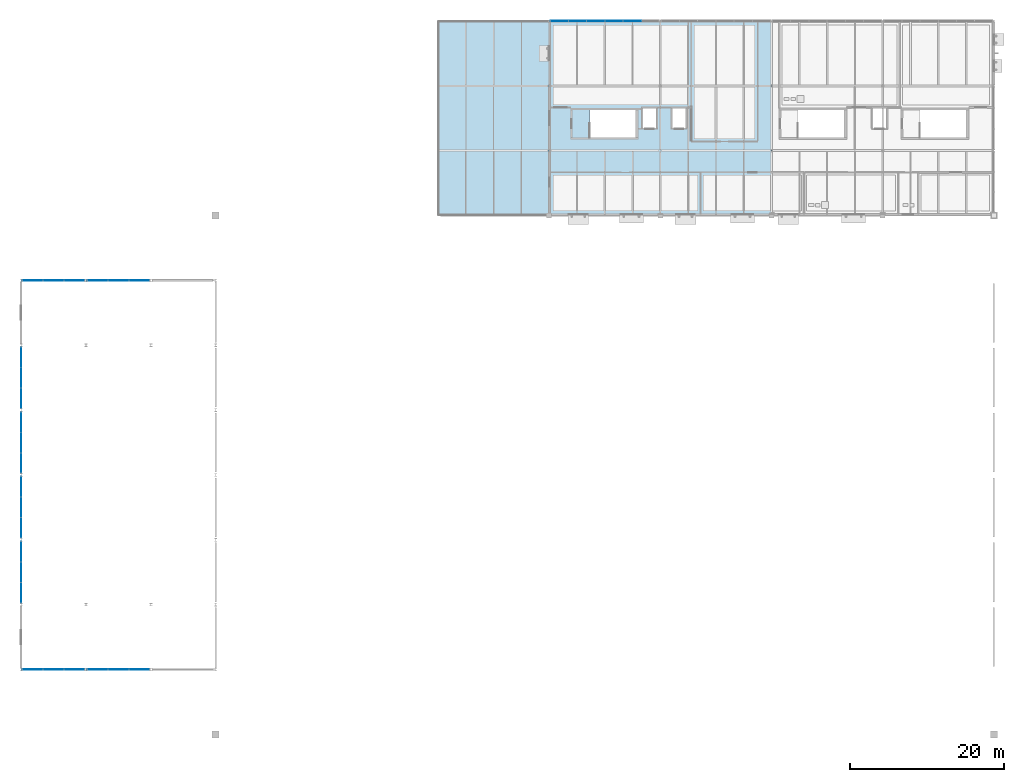
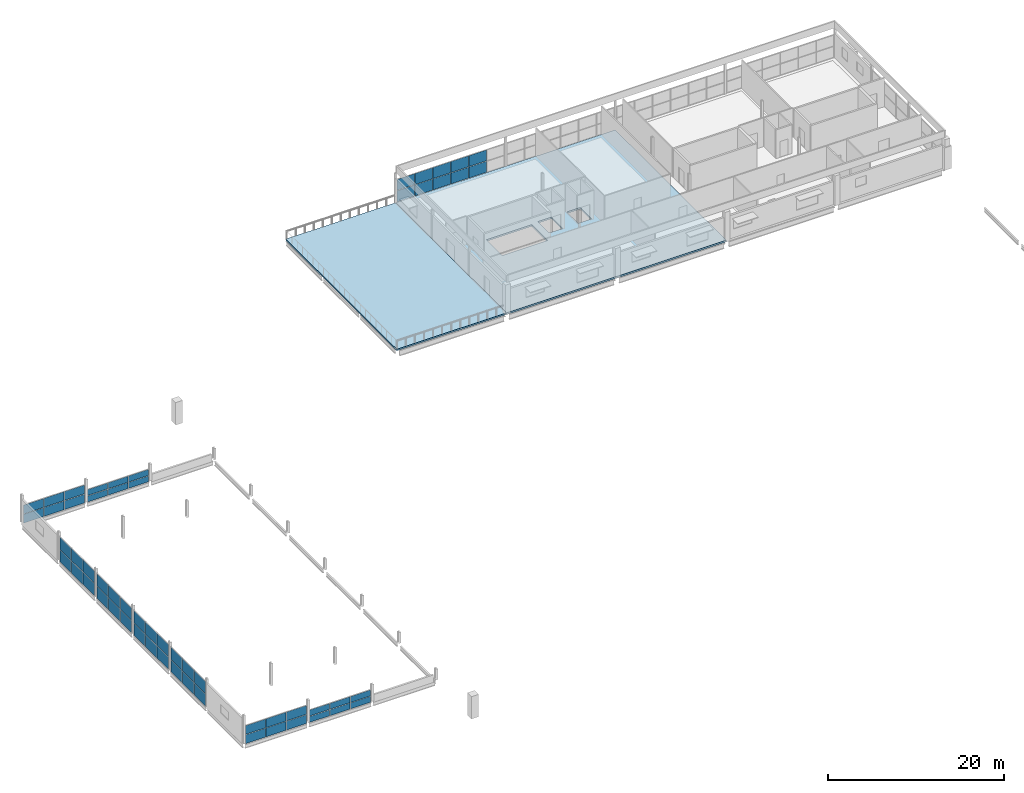
# One storey, part 37 of 43: 58 plates, 2 slabs, 9 elements without a shape of their own.
"""IFC4 building model written with IfcOpenShell, lengths in metres."""

import ifcopenshell
import ifcopenshell.guid

model = None  # the IFC model being written
_history = None  # IfcOwnerHistory: only IFC2X3 demands one
_inside = {}  # id of a spatial element -> (the spatial element, [elements in it])
_under = {}  # id of a project, library or spatial element -> (it, [spatial elements below it])
_declared = {}  # id of a project -> (the project, [libraries it declares])
_typed = {}  # id of a type object -> (the type object, [elements of that type])
_made_of = {}  # id of a material, layer set ... -> (it, [elements and type objects made of it])


def new_model(schema):
    """Start an empty IFC model of exactly this schema.

    Asked for "IFC4X3", IfcOpenShell would pick the latest addendum, in which some entities
    have other attributes; the version numbers below select the first issue.
    IFC2X3 requires an IfcOwnerHistory on every rooted entity: one is made here for all.
    """
    global model, _history
    if schema == "IFC4X3":
        model = ifcopenshell.file(schema_version=(4, 3, 0, 0))
    else:
        model = ifcopenshell.file(schema=schema)
    _inside.clear()
    _under.clear()
    _declared.clear()
    _typed.clear()
    _made_of.clear()
    _history = None
    if model.schema == "IFC2X3":
        org = make("IfcOrganization", Name="unknown")
        user = make(
            "IfcPersonAndOrganization",
            ThePerson=make("IfcPerson", FamilyName="unknown"),
            TheOrganization=org,
        )
        app = make(
            "IfcApplication",
            ApplicationDeveloper=org,
            Version="unknown",
            ApplicationFullName="unknown",
            ApplicationIdentifier="unknown",
        )
        _history = make(
            "IfcOwnerHistory",
            OwningUser=user,
            OwningApplication=app,
            ChangeAction="ADDED",
            CreationDate=0,
        )
    return model


def make(cls, **values):
    """One entity of the class cls with the attributes given. An attribute that is None is left unset."""
    return model.create_entity(
        cls, **{name: value for name, value in values.items() if value is not None}
    )


def rooted(cls, **values):
    """An entity with a GlobalId (a new one), such as an element, a storey or a relation."""
    return make(cls, GlobalId=ifcopenshell.guid.new(), OwnerHistory=_history, **values)


def si_unit(unit_type, name, prefix=None):
    """IfcSIUnit, for example si_unit("LENGTHUNIT", "METRE", prefix="MILLI")."""
    return make("IfcSIUnit", UnitType=unit_type, Prefix=prefix, Name=name)


def assignment(units):
    """IfcUnitAssignment: the units of a project."""
    return None if units is None else make("IfcUnitAssignment", Units=units)


def point(xyz):
    """IfcCartesianPoint."""
    return None if xyz is None else make("IfcCartesianPoint", Coordinates=xyz)


def direction(xyz):
    """IfcDirection."""
    return None if xyz is None else make("IfcDirection", DirectionRatios=xyz)


def frame(location, z_axis=None, x_axis=None):
    """IfcAxis2Placement3D, a coordinate frame: its origin and axes. An axis left out is left unset."""
    return make(
        "IfcAxis2Placement3D",
        Location=point(location),
        Axis=direction(z_axis),
        RefDirection=direction(x_axis),
    )


def frame_2d(location, x_axis=None):
    """IfcAxis2Placement2D, a coordinate frame in the plane: its origin and x axis."""
    return make(
        "IfcAxis2Placement2D", Location=point(location), RefDirection=direction(x_axis)
    )


def origin():
    """The frame at (0, 0, 0) with its axes left unset."""
    return frame((0.0, 0.0, 0.0))


def origin_2d():
    """The frame at (0, 0) in the plane with its x axis left unset."""
    return frame_2d((0.0, 0.0))


def place(relative_to, where):
    """IfcLocalPlacement: puts the frame where relative to a parent placement (None: the world)."""
    return make(
        "IfcLocalPlacement", PlacementRelTo=relative_to, RelativePlacement=where
    )


def context(
    kind, dimensions, precision=None, world=None, true_north=None, identifier=None
):
    """IfcGeometricRepresentationContext, for example the 3D "Model" context."""
    return make(
        "IfcGeometricRepresentationContext",
        ContextIdentifier=identifier,
        ContextType=kind,
        CoordinateSpaceDimension=dimensions,
        Precision=precision,
        WorldCoordinateSystem=world,
        TrueNorth=true_north,
    )


def subcontext(parent, identifier, kind, view, scale=None):
    """IfcGeometricRepresentationSubContext, for example "Body" below "Model"."""
    return make(
        "IfcGeometricRepresentationSubContext",
        ContextIdentifier=identifier,
        ContextType=kind,
        ParentContext=parent,
        TargetScale=scale,
        TargetView=view,
    )


def project(units=None, contexts=None):
    """IfcProject with its units and contexts."""
    return rooted(
        "IfcProject",
        Name="project",
        RepresentationContexts=contexts,
        UnitsInContext=assignment(units),
    )


def spatial(cls, under=None, at=None, **own):
    """A site, building, storey or space (cls), placed at a placement, below another one or the project."""
    s = rooted(cls, ObjectPlacement=at, **own)
    if under is not None:
        _under.setdefault(under.id(), (under, []))[1].append(s)
    return s


def polyline(points):
    """IfcPolyline through the points."""
    return make("IfcPolyline", Points=[point(p) for p in points])


def profile(cls, at=None, kind="AREA", **sizes):
    """A parametric profile (cls). Its sizes go by their IFC names, for example OverallWidth=200.0."""
    return make(cls, ProfileType=kind, Position=at, **sizes)


def rectangle(**sizes):
    """IfcRectangleProfileDef."""
    return profile("IfcRectangleProfileDef", **sizes)


def outline(outer, holes=None, kind="AREA"):
    """IfcArbitraryClosedProfileDef: a profile drawn as a closed curve; with holes, ...WithVoids."""
    if holes is None:
        return make("IfcArbitraryClosedProfileDef", ProfileType=kind, OuterCurve=outer)
    return make(
        "IfcArbitraryProfileDefWithVoids",
        ProfileType=kind,
        OuterCurve=outer,
        InnerCurves=holes,
    )


def extrude(swept, where, along, depth):
    """IfcExtrudedAreaSolid: the profile swept, set in the frame where, extruded along a direction by depth."""
    return make(
        "IfcExtrudedAreaSolid",
        SweptArea=swept,
        Position=where,
        ExtrudedDirection=direction(along),
        Depth=depth,
    )


def shape(context_of_items, identifier, shape_type, items):
    """IfcShapeRepresentation: the items that make up one representation, for example the "Body"."""
    return make(
        "IfcShapeRepresentation",
        ContextOfItems=context_of_items,
        RepresentationIdentifier=identifier,
        RepresentationType=shape_type,
        Items=items,
    )


def material(Name=None, Category=None):
    """IfcMaterial."""
    return make("IfcMaterial", Name=Name, Category=Category)


def layer(
    of_material, thickness, ventilated=None, Name=None, Category=None, Priority=None
):
    """IfcMaterialLayer: one layer of a wall or slab, of a material (None: an air gap)."""
    return make(
        "IfcMaterialLayer",
        Material=of_material,
        LayerThickness=thickness,
        IsVentilated=ventilated,
        Name=Name,
        Category=Category,
        Priority=Priority,
    )


def layer_set(layers, Name=None):
    """IfcMaterialLayerSet."""
    return make("IfcMaterialLayerSet", MaterialLayers=layers, LayerSetName=Name)


def made_of(thing, what):
    """Note that an element or type object is made of a material, layer set ...; save() writes the relation."""
    if what is not None:
        _made_of.setdefault(what.id(), (what, []))[1].append(thing)
    return thing


def type_object(cls, material=None, **own):
    """A type object (cls), such as IfcWallType, which elements share."""
    return made_of(rooted(cls, **own), material)


def element(
    cls,
    number,
    at=None,
    inside=None,
    cuts=None,
    type_object=None,
    material=None,
    context=None,
    identifier="Body",
    shape_type=None,
    held_by="IfcProductDefinitionShape",
    body=None,
    shapes=None,
    **own,
):
    """One element of the class cls, such as IfcWall. Its Tag is "e" and its number.

    at: its placement. inside: the storey or other place that contains it. cuts: it is an
    opening in that element (IfcRelVoidsElement). A single representation is given by context,
    identifier, shape_type and body (its items); several are given by shapes. held_by: the class
    of the entity that holds the representations. save() writes the other relations.
    """
    e = rooted(cls, Tag="e%d" % number, ObjectPlacement=at, **own)
    if body is not None:
        shapes = [shape(context, identifier, shape_type, body)]
    if shapes is not None:
        e.Representation = make(held_by, Representations=shapes)
    if inside is not None:
        _inside.setdefault(inside.id(), (inside, []))[1].append(e)
    if cuts is not None:
        rooted(
            "IfcRelVoidsElement", RelatingBuildingElement=cuts, RelatedOpeningElement=e
        )
    if type_object is not None:
        _typed.setdefault(type_object.id(), (type_object, []))[1].append(e)
    return made_of(e, material)


def aggregate(whole, parts):
    """IfcRelAggregates: a whole, such as a stair, and the parts it consists of."""
    return rooted("IfcRelAggregates", RelatingObject=whole, RelatedObjects=parts)


def save(model, path):
    """Write the relations noted so far, then the file.

    IfcRelAggregates (storeys below a building ...), IfcRelContainedInSpatialStructure (elements
    in a storey), IfcRelDefinesByType, IfcRelAssociatesMaterial and IfcRelDeclares: one each for
    every whole, place, type object, material and project.
    """
    for whole, parts in _under.values():
        aggregate(whole, parts)
    for where, things in _inside.values():
        rooted(
            "IfcRelContainedInSpatialStructure",
            RelatedElements=things,
            RelatingStructure=where,
        )
    for kind, things in _typed.values():
        rooted("IfcRelDefinesByType", RelatedObjects=things, RelatingType=kind)
    for what, things in _made_of.values():
        rooted("IfcRelAssociatesMaterial", RelatedObjects=things, RelatingMaterial=what)
    for by, libraries in _declared.values():
        rooted("IfcRelDeclares", RelatingContext=by, RelatedDefinitions=libraries)
    model.write(path)


model = new_model("IFC4")

# Units and contexts
model_context = context("Model", 3, precision=1e-05, world=origin(), true_north=direction((0.0, 1.0)))
body_context = subcontext(model_context, "Body", "Model", "MODEL_VIEW")
ifc_project = project(units=[si_unit("LENGTHUNIT", "METRE"), si_unit("AREAUNIT", "SQUARE_METRE"), si_unit("VOLUMEUNIT", "CUBIC_METRE"), si_unit("PLANEANGLEUNIT", "RADIAN"), si_unit("MASSUNIT", "GRAM", prefix="KILO"), si_unit("THERMODYNAMICTEMPERATUREUNIT", "KELVIN")], contexts=[model_context])

# Site, building, storey
site_placement = place(None, origin())
site = spatial("IfcSite", under=ifc_project, at=site_placement, CompositionType="ELEMENT")
building_placement = place(site_placement, origin())
building = spatial("IfcBuilding", under=site, at=building_placement, Name="Nduvali Passage Aquatics Centre", CompositionType="ELEMENT")
storey_placement = place(building_placement, frame((0.0, 0.0, 17.39990234375)))
storey = spatial("IfcBuildingStorey", under=building, at=storey_placement, Name="L04", CompositionType="ELEMENT", Elevation=17.39990234375)

# Curtain wall, plates
ifc_material_1 = material(Name="Aluminium EN AW-6063 T6", Category="aluminium")
curtain_wall_type_1 = type_object("IfcCurtainWallType", Name="ENV-CW-WELL", PredefinedType="NOTDEFINED", material=ifc_material_1)
curtain_wall_1_placement = place(storey_placement, origin())
curtain_wall_1 = element("IfcCurtainWall", 1, at=curtain_wall_1_placement, inside=storey, type_object=curtain_wall_type_1, Name="L04 North Avenue Recovery Lounge CW 106", PredefinedType="NOTDEFINED")
ifc_material_2 = material(Name="Laminated solar-control low-E IGU")
ifc_layer_1 = layer(ifc_material_2, 0.028076171875, Name="Laminated solar-control low-E IGU")
ifc_layer_set_1 = layer_set([ifc_layer_1], Name="Laminated solar-control low-E IGU")
plate_type_1 = type_object("IfcPlateType", Name="ENV-PLT-GLZ28", PredefinedType="CURTAIN_PANEL", material=ifc_layer_set_1)
plate_1_placement = place(storey_placement, frame((69.715087890625, 117.60009765625, 0.06005859375), z_axis=(0.0, 0.0, 1.0), x_axis=(1.0, 0.0, 0.0)))
plate_1 = element("IfcPlate", 2, at=plate_1_placement, type_object=plate_type_1, Name="North Avenue Recovery Lounge CW Glazed Panel B1-R1", PredefinedType="CURTAIN_PANEL", context=body_context, shape_type="SweptSolid", body=[
    extrude(rectangle(XDim=2.27001953125, YDim=0.028076171875, at=origin_2d()), origin(), (0.0, 0.0, 1.0), 1.516845703125),
])
plate_2_placement = place(storey_placement, frame((69.715087890625, 117.60009765625, 1.63720703125), z_axis=(0.0, 0.0, 1.0), x_axis=(1.0, 0.0, 0.0)))
plate_2 = element("IfcPlate", 3, at=plate_2_placement, type_object=plate_type_1, Name="North Avenue Recovery Lounge CW Glazed Panel B1-R2", PredefinedType="CURTAIN_PANEL", context=body_context, shape_type="SweptSolid", body=[
    extrude(rectangle(XDim=2.27001953125, YDim=0.028076171875, at=origin_2d()), origin(), (0.0, 0.0, 1.0), 1.516845703125),
])
plate_3_placement = place(storey_placement, frame((72.06005859375, 117.60009765625, 0.06005859375), z_axis=(0.0, 0.0, 1.0), x_axis=(1.0, 0.0, 0.0)))
plate_3 = element("IfcPlate", 4, at=plate_3_placement, type_object=plate_type_1, Name="North Avenue Recovery Lounge CW Glazed Panel B2-R1", PredefinedType="CURTAIN_PANEL", context=body_context, shape_type="SweptSolid", body=[
    extrude(rectangle(XDim=2.300048828125, YDim=0.028076171875, at=origin_2d()), origin(), (0.0, 0.0, 1.0), 1.516845703125),
])
plate_4_placement = place(storey_placement, frame((72.06005859375, 117.60009765625, 1.63720703125), z_axis=(0.0, 0.0, 1.0), x_axis=(1.0, 0.0, 0.0)))
plate_4 = element("IfcPlate", 5, at=plate_4_placement, type_object=plate_type_1, Name="North Avenue Recovery Lounge CW Glazed Panel B2-R2", PredefinedType="CURTAIN_PANEL", context=body_context, shape_type="SweptSolid", body=[
    extrude(rectangle(XDim=2.300048828125, YDim=0.028076171875, at=origin_2d()), origin(), (0.0, 0.0, 1.0), 1.516845703125),
])
plate_5_placement = place(storey_placement, frame((74.419921875, 117.60009765625, 0.06005859375), z_axis=(0.0, 0.0, 1.0), x_axis=(1.0, 0.0, 0.0)))
plate_5 = element("IfcPlate", 6, at=plate_5_placement, type_object=plate_type_1, Name="North Avenue Recovery Lounge CW Glazed Panel B3-R1", PredefinedType="CURTAIN_PANEL", context=body_context, shape_type="SweptSolid", body=[
    extrude(rectangle(XDim=2.300048828125, YDim=0.028076171875, at=origin_2d()), origin(), (0.0, 0.0, 1.0), 1.516845703125),
])
plate_6_placement = place(storey_placement, frame((74.419921875, 117.60009765625, 1.63720703125), z_axis=(0.0, 0.0, 1.0), x_axis=(1.0, 0.0, 0.0)))
plate_6 = element("IfcPlate", 7, at=plate_6_placement, type_object=plate_type_1, Name="North Avenue Recovery Lounge CW Glazed Panel B3-R2", PredefinedType="CURTAIN_PANEL", context=body_context, shape_type="SweptSolid", body=[
    extrude(rectangle(XDim=2.300048828125, YDim=0.028076171875, at=origin_2d()), origin(), (0.0, 0.0, 1.0), 1.516845703125),
])
plate_7_placement = place(storey_placement, frame((76.780029296875, 117.60009765625, 0.06005859375), z_axis=(0.0, 0.0, 1.0), x_axis=(1.0, 0.0, 0.0)))
plate_7 = element("IfcPlate", 8, at=plate_7_placement, type_object=plate_type_1, Name="North Avenue Recovery Lounge CW Glazed Panel B4-R1", PredefinedType="CURTAIN_PANEL", context=body_context, shape_type="SweptSolid", body=[
    extrude(rectangle(XDim=2.300048828125, YDim=0.028076171875, at=origin_2d()), origin(), (0.0, 0.0, 1.0), 1.516845703125),
])
plate_8_placement = place(storey_placement, frame((76.780029296875, 117.60009765625, 1.63720703125), z_axis=(0.0, 0.0, 1.0), x_axis=(1.0, 0.0, 0.0)))
plate_8 = element("IfcPlate", 9, at=plate_8_placement, type_object=plate_type_1, Name="North Avenue Recovery Lounge CW Glazed Panel B4-R2", PredefinedType="CURTAIN_PANEL", context=body_context, shape_type="SweptSolid", body=[
    extrude(rectangle(XDim=2.300048828125, YDim=0.028076171875, at=origin_2d()), origin(), (0.0, 0.0, 1.0), 1.516845703125),
])
plate_9_placement = place(storey_placement, frame((79.139892578125, 117.60009765625, 0.06005859375), z_axis=(0.0, 0.0, 1.0), x_axis=(1.0, 0.0, 0.0)))
plate_9 = element("IfcPlate", 10, at=plate_9_placement, type_object=plate_type_1, Name="North Avenue Recovery Lounge CW Glazed Panel B5-R1", PredefinedType="CURTAIN_PANEL", context=body_context, shape_type="SweptSolid", body=[
    extrude(rectangle(XDim=2.300048828125, YDim=0.028076171875, at=origin_2d()), origin(), (0.0, 0.0, 1.0), 1.516845703125),
])
plate_10_placement = place(storey_placement, frame((79.139892578125, 117.60009765625, 1.63720703125), z_axis=(0.0, 0.0, 1.0), x_axis=(1.0, 0.0, 0.0)))
plate_10 = element("IfcPlate", 11, at=plate_10_placement, type_object=plate_type_1, Name="North Avenue Recovery Lounge CW Glazed Panel B5-R2", PredefinedType="CURTAIN_PANEL", context=body_context, shape_type="SweptSolid", body=[
    extrude(rectangle(XDim=2.300048828125, YDim=0.028076171875, at=origin_2d()), origin(), (0.0, 0.0, 1.0), 1.516845703125),
])
aggregate(curtain_wall_1, [plate_1, plate_2, plate_3, plate_4, plate_5, plate_6, plate_7, plate_8, plate_9, plate_10])

curtain_wall_type_2 = type_object("IfcCurtainWallType", Name="ENV-CW-DIVE", PredefinedType="NOTDEFINED", material=ifc_material_1)
curtain_wall_2_placement = place(storey_placement, origin())
curtain_wall_2 = element("IfcCurtainWall", 12, at=curtain_wall_2_placement, inside=storey, type_object=curtain_wall_type_2, Name="L04 West Diving Upper Roof Clerestory CW 131", PredefinedType="NOTDEFINED")
ifc_layer_2 = layer(ifc_material_2, 0.031982421875, Name="Laminated solar-control low-E IGU")
ifc_layer_set_2 = layer_set([ifc_layer_2], Name="Laminated solar-control low-E IGU")
plate_type_2 = type_object("IfcPlateType", Name="ENV-PLT-GLZ32", PredefinedType="CURTAIN_PANEL", material=ifc_layer_set_2)
plate_11_placement = place(storey_placement, frame((0.0, 43.523193359375, -0.169921875), z_axis=(0.0, 0.0, 1.0), x_axis=(0.0, 1.0, 0.0)))
plate_11 = element("IfcPlate", 13, at=plate_11_placement, type_object=plate_type_2, Name="West Diving Upper Roof Clerestory CW Glazed Panel B1-R1", PredefinedType="CURTAIN_PANEL", context=body_context, shape_type="SweptSolid", body=[
    extrude(rectangle(XDim=2.586669921875, YDim=0.031982421875, at=origin_2d()), origin(), (0.0, 0.0, 1.0), 1.679931640625),
])
plate_12_placement = place(storey_placement, frame((0.0, 43.523193359375, 1.5703125), z_axis=(0.0, 0.0, 1.0), x_axis=(0.0, 1.0, 0.0)))
plate_12 = element("IfcPlate", 14, at=plate_12_placement, type_object=plate_type_2, Name="West Diving Upper Roof Clerestory CW Glazed Panel B1-R2", PredefinedType="CURTAIN_PANEL", context=body_context, shape_type="SweptSolid", body=[
    extrude(rectangle(XDim=2.586669921875, YDim=0.031982421875, at=origin_2d()), origin(), (0.0, 0.0, 1.0), 1.679931640625),
])
plate_13_placement = place(storey_placement, frame((0.0, 46.18505859375, -0.169921875), z_axis=(0.0, 0.0, 1.0), x_axis=(0.0, 1.0, 0.0)))
plate_13 = element("IfcPlate", 15, at=plate_13_placement, type_object=plate_type_2, Name="West Diving Upper Roof Clerestory CW Glazed Panel B2-R1", PredefinedType="CURTAIN_PANEL", context=body_context, shape_type="SweptSolid", body=[
    extrude(rectangle(XDim=2.61669921875, YDim=0.031982421875, at=origin_2d()), origin(), (0.0, 0.0, 1.0), 1.679931640625),
])
plate_14_placement = place(storey_placement, frame((0.0, 46.18505859375, 1.5703125), z_axis=(0.0, 0.0, 1.0), x_axis=(0.0, 1.0, 0.0)))
plate_14 = element("IfcPlate", 16, at=plate_14_placement, type_object=plate_type_2, Name="West Diving Upper Roof Clerestory CW Glazed Panel B2-R2", PredefinedType="CURTAIN_PANEL", context=body_context, shape_type="SweptSolid", body=[
    extrude(rectangle(XDim=2.61669921875, YDim=0.031982421875, at=origin_2d()), origin(), (0.0, 0.0, 1.0), 1.679931640625),
])
plate_15_placement = place(storey_placement, frame((0.0, 48.8466796875, -0.169921875), z_axis=(0.0, 0.0, 1.0), x_axis=(0.0, 1.0, 0.0)))
plate_15 = element("IfcPlate", 17, at=plate_15_placement, type_object=plate_type_2, Name="West Diving Upper Roof Clerestory CW Glazed Panel B3-R1", PredefinedType="CURTAIN_PANEL", context=body_context, shape_type="SweptSolid", body=[
    extrude(rectangle(XDim=2.586669921875, YDim=0.031982421875, at=origin_2d()), origin(), (0.0, 0.0, 1.0), 1.679931640625),
])
plate_16_placement = place(storey_placement, frame((0.0, 48.8466796875, 1.5703125), z_axis=(0.0, 0.0, 1.0), x_axis=(0.0, 1.0, 0.0)))
plate_16 = element("IfcPlate", 18, at=plate_16_placement, type_object=plate_type_2, Name="West Diving Upper Roof Clerestory CW Glazed Panel B3-R2", PredefinedType="CURTAIN_PANEL", context=body_context, shape_type="SweptSolid", body=[
    extrude(rectangle(XDim=2.586669921875, YDim=0.031982421875, at=origin_2d()), origin(), (0.0, 0.0, 1.0), 1.679931640625),
])
aggregate(curtain_wall_2, [plate_11, plate_12, plate_13, plate_14, plate_15, plate_16])

curtain_wall_3_placement = place(storey_placement, origin())
curtain_wall_3 = element("IfcCurtainWall", 19, at=curtain_wall_3_placement, inside=storey, type_object=curtain_wall_type_2, Name="L04 West Diving Upper Roof Clerestory CW 136", PredefinedType="NOTDEFINED")
plate_17_placement = place(storey_placement, frame((0.0, 51.9482421875, -0.169921875), z_axis=(0.0, 0.0, 1.0), x_axis=(0.0, 1.0, 0.0)))
plate_17 = element("IfcPlate", 20, at=plate_17_placement, type_object=plate_type_2, Name="West Diving Upper Roof Clerestory CW Glazed Panel B1-R1", PredefinedType="CURTAIN_PANEL", context=body_context, shape_type="SweptSolid", body=[
    extrude(rectangle(XDim=2.57666015625, YDim=0.031982421875, at=origin_2d()), origin(), (0.0, 0.0, 1.0), 1.679931640625),
])
plate_18_placement = place(storey_placement, frame((0.0, 51.9482421875, 1.5703125), z_axis=(0.0, 0.0, 1.0), x_axis=(0.0, 1.0, 0.0)))
plate_18 = element("IfcPlate", 21, at=plate_18_placement, type_object=plate_type_2, Name="West Diving Upper Roof Clerestory CW Glazed Panel B1-R2", PredefinedType="CURTAIN_PANEL", context=body_context, shape_type="SweptSolid", body=[
    extrude(rectangle(XDim=2.57666015625, YDim=0.031982421875, at=origin_2d()), origin(), (0.0, 0.0, 1.0), 1.679931640625),
])
plate_19_placement = place(storey_placement, frame((0.0, 54.60009765625, -0.169921875), z_axis=(0.0, 0.0, 1.0), x_axis=(0.0, 1.0, 0.0)))
plate_19 = element("IfcPlate", 22, at=plate_19_placement, type_object=plate_type_2, Name="West Diving Upper Roof Clerestory CW Glazed Panel B2-R1", PredefinedType="CURTAIN_PANEL", context=body_context, shape_type="SweptSolid", body=[
    extrude(rectangle(XDim=2.606689453125, YDim=0.031982421875, at=origin_2d()), origin(), (0.0, 0.0, 1.0), 1.679931640625),
])
plate_20_placement = place(storey_placement, frame((0.0, 54.60009765625, 1.5703125), z_axis=(0.0, 0.0, 1.0), x_axis=(0.0, 1.0, 0.0)))
plate_20 = element("IfcPlate", 23, at=plate_20_placement, type_object=plate_type_2, Name="West Diving Upper Roof Clerestory CW Glazed Panel B2-R2", PredefinedType="CURTAIN_PANEL", context=body_context, shape_type="SweptSolid", body=[
    extrude(rectangle(XDim=2.606689453125, YDim=0.031982421875, at=origin_2d()), origin(), (0.0, 0.0, 1.0), 1.679931640625),
])
plate_21_placement = place(storey_placement, frame((0.0, 57.251708984375, -0.169921875), z_axis=(0.0, 0.0, 1.0), x_axis=(0.0, 1.0, 0.0)))
plate_21 = element("IfcPlate", 24, at=plate_21_placement, type_object=plate_type_2, Name="West Diving Upper Roof Clerestory CW Glazed Panel B3-R1", PredefinedType="CURTAIN_PANEL", context=body_context, shape_type="SweptSolid", body=[
    extrude(rectangle(XDim=2.57666015625, YDim=0.031982421875, at=origin_2d()), origin(), (0.0, 0.0, 1.0), 1.679931640625),
])
plate_22_placement = place(storey_placement, frame((0.0, 57.251708984375, 1.5703125), z_axis=(0.0, 0.0, 1.0), x_axis=(0.0, 1.0, 0.0)))
plate_22 = element("IfcPlate", 25, at=plate_22_placement, type_object=plate_type_2, Name="West Diving Upper Roof Clerestory CW Glazed Panel B3-R2", PredefinedType="CURTAIN_PANEL", context=body_context, shape_type="SweptSolid", body=[
    extrude(rectangle(XDim=2.57666015625, YDim=0.031982421875, at=origin_2d()), origin(), (0.0, 0.0, 1.0), 1.679931640625),
])
aggregate(curtain_wall_3, [plate_17, plate_18, plate_19, plate_20, plate_21, plate_22])

curtain_wall_4_placement = place(storey_placement, origin())
curtain_wall_4 = element("IfcCurtainWall", 26, at=curtain_wall_4_placement, inside=storey, type_object=curtain_wall_type_2, Name="L04 West Diving Upper Roof Clerestory CW 141", PredefinedType="NOTDEFINED")
plate_23_placement = place(storey_placement, frame((0.0, 60.348388671875, -0.169921875), z_axis=(0.0, 0.0, 1.0), x_axis=(0.0, 1.0, 0.0)))
plate_23 = element("IfcPlate", 27, at=plate_23_placement, type_object=plate_type_2, Name="West Diving Upper Roof Clerestory CW Glazed Panel B1-R1", PredefinedType="CURTAIN_PANEL", context=body_context, shape_type="SweptSolid", body=[
    extrude(rectangle(XDim=2.57666015625, YDim=0.031982421875, at=origin_2d()), origin(), (0.0, 0.0, 1.0), 1.679931640625),
])
plate_24_placement = place(storey_placement, frame((0.0, 60.348388671875, 1.5703125), z_axis=(0.0, 0.0, 1.0), x_axis=(0.0, 1.0, 0.0)))
plate_24 = element("IfcPlate", 28, at=plate_24_placement, type_object=plate_type_2, Name="West Diving Upper Roof Clerestory CW Glazed Panel B1-R2", PredefinedType="CURTAIN_PANEL", context=body_context, shape_type="SweptSolid", body=[
    extrude(rectangle(XDim=2.57666015625, YDim=0.031982421875, at=origin_2d()), origin(), (0.0, 0.0, 1.0), 1.679931640625),
])
plate_25_placement = place(storey_placement, frame((0.0, 63.0, -0.169921875), z_axis=(0.0, 0.0, 1.0), x_axis=(0.0, 1.0, 0.0)))
plate_25 = element("IfcPlate", 29, at=plate_25_placement, type_object=plate_type_2, Name="West Diving Upper Roof Clerestory CW Glazed Panel B2-R1", PredefinedType="CURTAIN_PANEL", context=body_context, shape_type="SweptSolid", body=[
    extrude(rectangle(XDim=2.606689453125, YDim=0.031982421875, at=origin_2d()), origin(), (0.0, 0.0, 1.0), 1.679931640625),
])
plate_26_placement = place(storey_placement, frame((0.0, 63.0, 1.5703125), z_axis=(0.0, 0.0, 1.0), x_axis=(0.0, 1.0, 0.0)))
plate_26 = element("IfcPlate", 30, at=plate_26_placement, type_object=plate_type_2, Name="West Diving Upper Roof Clerestory CW Glazed Panel B2-R2", PredefinedType="CURTAIN_PANEL", context=body_context, shape_type="SweptSolid", body=[
    extrude(rectangle(XDim=2.606689453125, YDim=0.031982421875, at=origin_2d()), origin(), (0.0, 0.0, 1.0), 1.679931640625),
])
plate_27_placement = place(storey_placement, frame((0.0, 65.651611328125, -0.169921875), z_axis=(0.0, 0.0, 1.0), x_axis=(0.0, 1.0, 0.0)))
plate_27 = element("IfcPlate", 31, at=plate_27_placement, type_object=plate_type_2, Name="West Diving Upper Roof Clerestory CW Glazed Panel B3-R1", PredefinedType="CURTAIN_PANEL", context=body_context, shape_type="SweptSolid", body=[
    extrude(rectangle(XDim=2.57666015625, YDim=0.031982421875, at=origin_2d()), origin(), (0.0, 0.0, 1.0), 1.679931640625),
])
plate_28_placement = place(storey_placement, frame((0.0, 65.651611328125, 1.5703125), z_axis=(0.0, 0.0, 1.0), x_axis=(0.0, 1.0, 0.0)))
plate_28 = element("IfcPlate", 32, at=plate_28_placement, type_object=plate_type_2, Name="West Diving Upper Roof Clerestory CW Glazed Panel B3-R2", PredefinedType="CURTAIN_PANEL", context=body_context, shape_type="SweptSolid", body=[
    extrude(rectangle(XDim=2.57666015625, YDim=0.031982421875, at=origin_2d()), origin(), (0.0, 0.0, 1.0), 1.679931640625),
])
aggregate(curtain_wall_4, [plate_23, plate_24, plate_25, plate_26, plate_27, plate_28])

curtain_wall_5_placement = place(storey_placement, origin())
curtain_wall_5 = element("IfcCurtainWall", 33, at=curtain_wall_5_placement, inside=storey, type_object=curtain_wall_type_2, Name="L04 West Diving Upper Roof Clerestory CW 146", PredefinedType="NOTDEFINED")
plate_29_placement = place(storey_placement, frame((0.0, 68.75341796875, -0.169921875), z_axis=(0.0, 0.0, 1.0), x_axis=(0.0, 1.0, 0.0)))
plate_29 = element("IfcPlate", 34, at=plate_29_placement, type_object=plate_type_2, Name="West Diving Upper Roof Clerestory CW Glazed Panel B1-R1", PredefinedType="CURTAIN_PANEL", context=body_context, shape_type="SweptSolid", body=[
    extrude(rectangle(XDim=2.586669921875, YDim=0.031982421875, at=origin_2d()), origin(), (0.0, 0.0, 1.0), 1.679931640625),
])
plate_30_placement = place(storey_placement, frame((0.0, 68.75341796875, 1.5703125), z_axis=(0.0, 0.0, 1.0), x_axis=(0.0, 1.0, 0.0)))
plate_30 = element("IfcPlate", 35, at=plate_30_placement, type_object=plate_type_2, Name="West Diving Upper Roof Clerestory CW Glazed Panel B1-R2", PredefinedType="CURTAIN_PANEL", context=body_context, shape_type="SweptSolid", body=[
    extrude(rectangle(XDim=2.586669921875, YDim=0.031982421875, at=origin_2d()), origin(), (0.0, 0.0, 1.0), 1.679931640625),
])
plate_31_placement = place(storey_placement, frame((0.0, 71.4150390625, -0.169921875), z_axis=(0.0, 0.0, 1.0), x_axis=(0.0, 1.0, 0.0)))
plate_31 = element("IfcPlate", 36, at=plate_31_placement, type_object=plate_type_2, Name="West Diving Upper Roof Clerestory CW Glazed Panel B2-R1", PredefinedType="CURTAIN_PANEL", context=body_context, shape_type="SweptSolid", body=[
    extrude(rectangle(XDim=2.61669921875, YDim=0.031982421875, at=origin_2d()), origin(), (0.0, 0.0, 1.0), 1.679931640625),
])
plate_32_placement = place(storey_placement, frame((0.0, 71.4150390625, 1.5703125), z_axis=(0.0, 0.0, 1.0), x_axis=(0.0, 1.0, 0.0)))
plate_32 = element("IfcPlate", 37, at=plate_32_placement, type_object=plate_type_2, Name="West Diving Upper Roof Clerestory CW Glazed Panel B2-R2", PredefinedType="CURTAIN_PANEL", context=body_context, shape_type="SweptSolid", body=[
    extrude(rectangle(XDim=2.61669921875, YDim=0.031982421875, at=origin_2d()), origin(), (0.0, 0.0, 1.0), 1.679931640625),
])
plate_33_placement = place(storey_placement, frame((0.0, 74.07666015625, -0.169921875), z_axis=(0.0, 0.0, 1.0), x_axis=(0.0, 1.0, 0.0)))
plate_33 = element("IfcPlate", 38, at=plate_33_placement, type_object=plate_type_2, Name="West Diving Upper Roof Clerestory CW Glazed Panel B3-R1", PredefinedType="CURTAIN_PANEL", context=body_context, shape_type="SweptSolid", body=[
    extrude(rectangle(XDim=2.586669921875, YDim=0.031982421875, at=origin_2d()), origin(), (0.0, 0.0, 1.0), 1.679931640625),
])
plate_34_placement = place(storey_placement, frame((0.0, 74.07666015625, 1.5703125), z_axis=(0.0, 0.0, 1.0), x_axis=(0.0, 1.0, 0.0)))
plate_34 = element("IfcPlate", 39, at=plate_34_placement, type_object=plate_type_2, Name="West Diving Upper Roof Clerestory CW Glazed Panel B3-R2", PredefinedType="CURTAIN_PANEL", context=body_context, shape_type="SweptSolid", body=[
    extrude(rectangle(XDim=2.586669921875, YDim=0.031982421875, at=origin_2d()), origin(), (0.0, 0.0, 1.0), 1.679931640625),
])
aggregate(curtain_wall_5, [plate_29, plate_30, plate_31, plate_32, plate_33, plate_34])

curtain_wall_6_placement = place(storey_placement, origin())
curtain_wall_6 = element("IfcCurtainWall", 40, at=curtain_wall_6_placement, inside=storey, type_object=curtain_wall_type_2, Name="L04 Diving Upper West Clerestory CW 153", PredefinedType="NOTDEFINED")
plate_35_placement = place(storey_placement, frame((1.514892578125, 33.60009765625, -0.169921875), z_axis=(0.0, 0.0, 1.0), x_axis=(1.0, 0.0, 0.0)))
plate_35 = element("IfcPlate", 41, at=plate_35_placement, type_object=plate_type_2, Name="Diving Upper West Clerestory CW Glazed Panel B1-R1", PredefinedType="CURTAIN_PANEL", context=body_context, shape_type="SweptSolid", body=[
    extrude(rectangle(XDim=2.610107421875, YDim=0.031982421875, at=origin_2d()), origin(), (0.0, 0.0, 1.0), 1.215087890625),
])
plate_36_placement = place(storey_placement, frame((1.514892578125, 33.60009765625, 1.10498046875), z_axis=(0.0, 0.0, 1.0), x_axis=(1.0, 0.0, 0.0)))
plate_36 = element("IfcPlate", 42, at=plate_36_placement, type_object=plate_type_2, Name="Diving Upper West Clerestory CW Glazed Panel B1-R2", PredefinedType="CURTAIN_PANEL", context=body_context, shape_type="SweptSolid", body=[
    extrude(rectangle(XDim=2.610107421875, YDim=0.031982421875, at=origin_2d()), origin(), (0.0, 0.0, 1.0), 1.215087890625),
])
plate_37_placement = place(storey_placement, frame((4.199951171875, 33.60009765625, -0.169921875), z_axis=(0.0, 0.0, 1.0), x_axis=(1.0, 0.0, 0.0)))
plate_37 = element("IfcPlate", 43, at=plate_37_placement, type_object=plate_type_2, Name="Diving Upper West Clerestory CW Glazed Panel B2-R1", PredefinedType="CURTAIN_PANEL", context=body_context, shape_type="SweptSolid", body=[
    extrude(rectangle(XDim=2.639892578125, YDim=0.031982421875, at=origin_2d()), origin(), (0.0, 0.0, 1.0), 1.215087890625),
])
plate_38_placement = place(storey_placement, frame((4.199951171875, 33.60009765625, 1.10498046875), z_axis=(0.0, 0.0, 1.0), x_axis=(1.0, 0.0, 0.0)))
plate_38 = element("IfcPlate", 44, at=plate_38_placement, type_object=plate_type_2, Name="Diving Upper West Clerestory CW Glazed Panel B2-R2", PredefinedType="CURTAIN_PANEL", context=body_context, shape_type="SweptSolid", body=[
    extrude(rectangle(XDim=2.639892578125, YDim=0.031982421875, at=origin_2d()), origin(), (0.0, 0.0, 1.0), 1.215087890625),
])
plate_39_placement = place(storey_placement, frame((6.885009765625, 33.60009765625, -0.169921875), z_axis=(0.0, 0.0, 1.0), x_axis=(1.0, 0.0, 0.0)))
plate_39 = element("IfcPlate", 45, at=plate_39_placement, type_object=plate_type_2, Name="Diving Upper West Clerestory CW Glazed Panel B3-R1", PredefinedType="CURTAIN_PANEL", context=body_context, shape_type="SweptSolid", body=[
    extrude(rectangle(XDim=2.610107421875, YDim=0.031982421875, at=origin_2d()), origin(), (0.0, 0.0, 1.0), 1.215087890625),
])
plate_40_placement = place(storey_placement, frame((6.885009765625, 33.60009765625, 1.10498046875), z_axis=(0.0, 0.0, 1.0), x_axis=(1.0, 0.0, 0.0)))
plate_40 = element("IfcPlate", 46, at=plate_40_placement, type_object=plate_type_2, Name="Diving Upper West Clerestory CW Glazed Panel B3-R2", PredefinedType="CURTAIN_PANEL", context=body_context, shape_type="SweptSolid", body=[
    extrude(rectangle(XDim=2.610107421875, YDim=0.031982421875, at=origin_2d()), origin(), (0.0, 0.0, 1.0), 1.215087890625),
])
aggregate(curtain_wall_6, [plate_35, plate_36, plate_37, plate_38, plate_39, plate_40])

curtain_wall_7_placement = place(storey_placement, origin())
curtain_wall_7 = element("IfcCurtainWall", 47, at=curtain_wall_7_placement, inside=storey, type_object=curtain_wall_type_2, Name="L04 Diving Upper Mid Clerestory CW 154", PredefinedType="NOTDEFINED")
plate_41_placement = place(storey_placement, frame((9.9150390625, 33.60009765625, -0.169921875), z_axis=(0.0, 0.0, 1.0), x_axis=(1.0, 0.0, 0.0)))
plate_41 = element("IfcPlate", 48, at=plate_41_placement, type_object=plate_type_2, Name="Diving Upper Mid Clerestory CW Glazed Panel B1-R1", PredefinedType="CURTAIN_PANEL", context=body_context, shape_type="SweptSolid", body=[
    extrude(rectangle(XDim=2.610107421875, YDim=0.031982421875, at=origin_2d()), origin(), (0.0, 0.0, 1.0), 0.824951171875),
])
plate_42_placement = place(storey_placement, frame((9.9150390625, 33.60009765625, 0.71533203125), z_axis=(0.0, 0.0, 1.0), x_axis=(1.0, 0.0, 0.0)))
plate_42 = element("IfcPlate", 49, at=plate_42_placement, type_object=plate_type_2, Name="Diving Upper Mid Clerestory CW Glazed Panel B1-R2", PredefinedType="CURTAIN_PANEL", context=body_context, shape_type="SweptSolid", body=[
    extrude(rectangle(XDim=2.610107421875, YDim=0.031982421875, at=origin_2d()), origin(), (0.0, 0.0, 1.0), 0.824951171875),
])
plate_43_placement = place(storey_placement, frame((12.60009765625, 33.60009765625, -0.169921875), z_axis=(0.0, 0.0, 1.0), x_axis=(1.0, 0.0, 0.0)))
plate_43 = element("IfcPlate", 50, at=plate_43_placement, type_object=plate_type_2, Name="Diving Upper Mid Clerestory CW Glazed Panel B2-R1", PredefinedType="CURTAIN_PANEL", context=body_context, shape_type="SweptSolid", body=[
    extrude(rectangle(XDim=2.639892578125, YDim=0.031982421875, at=origin_2d()), origin(), (0.0, 0.0, 1.0), 0.824951171875),
])
plate_44_placement = place(storey_placement, frame((12.60009765625, 33.60009765625, 0.71533203125), z_axis=(0.0, 0.0, 1.0), x_axis=(1.0, 0.0, 0.0)))
plate_44 = element("IfcPlate", 51, at=plate_44_placement, type_object=plate_type_2, Name="Diving Upper Mid Clerestory CW Glazed Panel B2-R2", PredefinedType="CURTAIN_PANEL", context=body_context, shape_type="SweptSolid", body=[
    extrude(rectangle(XDim=2.639892578125, YDim=0.031982421875, at=origin_2d()), origin(), (0.0, 0.0, 1.0), 0.824951171875),
])
plate_45_placement = place(storey_placement, frame((15.284912109375, 33.60009765625, -0.169921875), z_axis=(0.0, 0.0, 1.0), x_axis=(1.0, 0.0, 0.0)))
plate_45 = element("IfcPlate", 52, at=plate_45_placement, type_object=plate_type_2, Name="Diving Upper Mid Clerestory CW Glazed Panel B3-R1", PredefinedType="CURTAIN_PANEL", context=body_context, shape_type="SweptSolid", body=[
    extrude(rectangle(XDim=2.610107421875, YDim=0.031982421875, at=origin_2d()), origin(), (0.0, 0.0, 1.0), 0.824951171875),
])
plate_46_placement = place(storey_placement, frame((15.284912109375, 33.60009765625, 0.71533203125), z_axis=(0.0, 0.0, 1.0), x_axis=(1.0, 0.0, 0.0)))
plate_46 = element("IfcPlate", 53, at=plate_46_placement, type_object=plate_type_2, Name="Diving Upper Mid Clerestory CW Glazed Panel B3-R2", PredefinedType="CURTAIN_PANEL", context=body_context, shape_type="SweptSolid", body=[
    extrude(rectangle(XDim=2.610107421875, YDim=0.031982421875, at=origin_2d()), origin(), (0.0, 0.0, 1.0), 0.824951171875),
])
aggregate(curtain_wall_7, [plate_41, plate_42, plate_43, plate_44, plate_45, plate_46])

curtain_wall_8_placement = place(storey_placement, origin())
curtain_wall_8 = element("IfcCurtainWall", 54, at=curtain_wall_8_placement, inside=storey, type_object=curtain_wall_type_2, Name="L04 Diving Upper West Clerestory CW 161", PredefinedType="NOTDEFINED")
plate_47_placement = place(storey_placement, frame((1.514892578125, 84.0, -0.169921875), z_axis=(0.0, 0.0, 1.0), x_axis=(1.0, 0.0, 0.0)))
plate_47 = element("IfcPlate", 55, at=plate_47_placement, type_object=plate_type_2, Name="Diving Upper West Clerestory CW Glazed Panel B1-R1", PredefinedType="CURTAIN_PANEL", context=body_context, shape_type="SweptSolid", body=[
    extrude(rectangle(XDim=2.610107421875, YDim=0.031982421875, at=origin_2d()), origin(), (0.0, 0.0, 1.0), 1.215087890625),
])
plate_48_placement = place(storey_placement, frame((1.514892578125, 84.0, 1.10498046875), z_axis=(0.0, 0.0, 1.0), x_axis=(1.0, 0.0, 0.0)))
plate_48 = element("IfcPlate", 56, at=plate_48_placement, type_object=plate_type_2, Name="Diving Upper West Clerestory CW Glazed Panel B1-R2", PredefinedType="CURTAIN_PANEL", context=body_context, shape_type="SweptSolid", body=[
    extrude(rectangle(XDim=2.610107421875, YDim=0.031982421875, at=origin_2d()), origin(), (0.0, 0.0, 1.0), 1.215087890625),
])
plate_49_placement = place(storey_placement, frame((4.199951171875, 84.0, -0.169921875), z_axis=(0.0, 0.0, 1.0), x_axis=(1.0, 0.0, 0.0)))
plate_49 = element("IfcPlate", 57, at=plate_49_placement, type_object=plate_type_2, Name="Diving Upper West Clerestory CW Glazed Panel B2-R1", PredefinedType="CURTAIN_PANEL", context=body_context, shape_type="SweptSolid", body=[
    extrude(rectangle(XDim=2.639892578125, YDim=0.031982421875, at=origin_2d()), origin(), (0.0, 0.0, 1.0), 1.215087890625),
])
plate_50_placement = place(storey_placement, frame((4.199951171875, 84.0, 1.10498046875), z_axis=(0.0, 0.0, 1.0), x_axis=(1.0, 0.0, 0.0)))
plate_50 = element("IfcPlate", 58, at=plate_50_placement, type_object=plate_type_2, Name="Diving Upper West Clerestory CW Glazed Panel B2-R2", PredefinedType="CURTAIN_PANEL", context=body_context, shape_type="SweptSolid", body=[
    extrude(rectangle(XDim=2.639892578125, YDim=0.031982421875, at=origin_2d()), origin(), (0.0, 0.0, 1.0), 1.215087890625),
])
plate_51_placement = place(storey_placement, frame((6.885009765625, 84.0, -0.169921875), z_axis=(0.0, 0.0, 1.0), x_axis=(1.0, 0.0, 0.0)))
plate_51 = element("IfcPlate", 59, at=plate_51_placement, type_object=plate_type_2, Name="Diving Upper West Clerestory CW Glazed Panel B3-R1", PredefinedType="CURTAIN_PANEL", context=body_context, shape_type="SweptSolid", body=[
    extrude(rectangle(XDim=2.610107421875, YDim=0.031982421875, at=origin_2d()), origin(), (0.0, 0.0, 1.0), 1.215087890625),
])
plate_52_placement = place(storey_placement, frame((6.885009765625, 84.0, 1.10498046875), z_axis=(0.0, 0.0, 1.0), x_axis=(1.0, 0.0, 0.0)))
plate_52 = element("IfcPlate", 60, at=plate_52_placement, type_object=plate_type_2, Name="Diving Upper West Clerestory CW Glazed Panel B3-R2", PredefinedType="CURTAIN_PANEL", context=body_context, shape_type="SweptSolid", body=[
    extrude(rectangle(XDim=2.610107421875, YDim=0.031982421875, at=origin_2d()), origin(), (0.0, 0.0, 1.0), 1.215087890625),
])
aggregate(curtain_wall_8, [plate_47, plate_48, plate_49, plate_50, plate_51, plate_52])

curtain_wall_9_placement = place(storey_placement, origin())
curtain_wall_9 = element("IfcCurtainWall", 61, at=curtain_wall_9_placement, inside=storey, type_object=curtain_wall_type_2, Name="L04 Diving Upper Mid Clerestory CW 162", PredefinedType="NOTDEFINED")
plate_53_placement = place(storey_placement, frame((9.9150390625, 84.0, -0.169921875), z_axis=(0.0, 0.0, 1.0), x_axis=(1.0, 0.0, 0.0)))
plate_53 = element("IfcPlate", 62, at=plate_53_placement, type_object=plate_type_2, Name="Diving Upper Mid Clerestory CW Glazed Panel B1-R1", PredefinedType="CURTAIN_PANEL", context=body_context, shape_type="SweptSolid", body=[
    extrude(rectangle(XDim=2.610107421875, YDim=0.031982421875, at=origin_2d()), origin(), (0.0, 0.0, 1.0), 0.824951171875),
])
plate_54_placement = place(storey_placement, frame((9.9150390625, 84.0, 0.71533203125), z_axis=(0.0, 0.0, 1.0), x_axis=(1.0, 0.0, 0.0)))
plate_54 = element("IfcPlate", 63, at=plate_54_placement, type_object=plate_type_2, Name="Diving Upper Mid Clerestory CW Glazed Panel B1-R2", PredefinedType="CURTAIN_PANEL", context=body_context, shape_type="SweptSolid", body=[
    extrude(rectangle(XDim=2.610107421875, YDim=0.031982421875, at=origin_2d()), origin(), (0.0, 0.0, 1.0), 0.824951171875),
])
plate_55_placement = place(storey_placement, frame((12.60009765625, 84.0, -0.169921875), z_axis=(0.0, 0.0, 1.0), x_axis=(1.0, 0.0, 0.0)))
plate_55 = element("IfcPlate", 64, at=plate_55_placement, type_object=plate_type_2, Name="Diving Upper Mid Clerestory CW Glazed Panel B2-R1", PredefinedType="CURTAIN_PANEL", context=body_context, shape_type="SweptSolid", body=[
    extrude(rectangle(XDim=2.639892578125, YDim=0.031982421875, at=origin_2d()), origin(), (0.0, 0.0, 1.0), 0.824951171875),
])
plate_56_placement = place(storey_placement, frame((12.60009765625, 84.0, 0.71533203125), z_axis=(0.0, 0.0, 1.0), x_axis=(1.0, 0.0, 0.0)))
plate_56 = element("IfcPlate", 65, at=plate_56_placement, type_object=plate_type_2, Name="Diving Upper Mid Clerestory CW Glazed Panel B2-R2", PredefinedType="CURTAIN_PANEL", context=body_context, shape_type="SweptSolid", body=[
    extrude(rectangle(XDim=2.639892578125, YDim=0.031982421875, at=origin_2d()), origin(), (0.0, 0.0, 1.0), 0.824951171875),
])
plate_57_placement = place(storey_placement, frame((15.284912109375, 84.0, -0.169921875), z_axis=(0.0, 0.0, 1.0), x_axis=(1.0, 0.0, 0.0)))
plate_57 = element("IfcPlate", 66, at=plate_57_placement, type_object=plate_type_2, Name="Diving Upper Mid Clerestory CW Glazed Panel B3-R1", PredefinedType="CURTAIN_PANEL", context=body_context, shape_type="SweptSolid", body=[
    extrude(rectangle(XDim=2.610107421875, YDim=0.031982421875, at=origin_2d()), origin(), (0.0, 0.0, 1.0), 0.824951171875),
])
plate_58_placement = place(storey_placement, frame((15.284912109375, 84.0, 0.71533203125), z_axis=(0.0, 0.0, 1.0), x_axis=(1.0, 0.0, 0.0)))
plate_58 = element("IfcPlate", 67, at=plate_58_placement, type_object=plate_type_2, Name="Diving Upper Mid Clerestory CW Glazed Panel B3-R2", PredefinedType="CURTAIN_PANEL", context=body_context, shape_type="SweptSolid", body=[
    extrude(rectangle(XDim=2.610107421875, YDim=0.031982421875, at=origin_2d()), origin(), (0.0, 0.0, 1.0), 0.824951171875),
])
aggregate(curtain_wall_9, [plate_53, plate_54, plate_55, plate_56, plate_57, plate_58])

# Slabs
ifc_material_3 = material(Name="Concrete C40/50", Category="concrete")
ifc_layer_3 = layer(ifc_material_3, 0.22998046875, Name="Concrete C40/50")
ifc_layer_set_3 = layer_set([ifc_layer_3], Name="Concrete C40/50")
slab_type_1 = type_object("IfcSlabType", Name="STR-SLB-FLR230", PredefinedType="FLOOR", material=ifc_layer_set_3)
slab_1_placement = place(storey_placement, frame((0.0, 0.0, -0.22998046875)))
element("IfcSlab", 68, at=slab_1_placement, inside=storey, type_object=slab_type_1, Name="L04 Athlete Recovery Wellness and Mechanical Floor Slab 1", PredefinedType="FLOOR", context=body_context, shape_type="SweptSolid", body=[
    extrude(outline(polyline([(68.39990234375, 92.39990234375), (97.199951171875, 92.39990234375), (97.199951171875, 117.60009765625), (68.39990234375, 117.60009765625), (68.39990234375, 92.39990234375)]), holes=[polyline([(73.64990234375, 102.5), (79.60009765625, 102.5), (79.60009765625, 106.090087890625), (73.64990234375, 106.090087890625), (73.64990234375, 102.5)]), polyline([(80.52001953125, 103.719970703125), (82.280029296875, 103.719970703125), (82.280029296875, 106.280029296875), (80.52001953125, 106.280029296875), (80.52001953125, 103.719970703125)]), polyline([(84.320068359375, 103.719970703125), (86.080078125, 103.719970703125), (86.080078125, 106.280029296875), (84.320068359375, 106.280029296875), (84.320068359375, 103.719970703125)])]), origin(), (0.0, 0.0, 1.0), 0.22998046875),
])
ifc_material_4 = material(Name="Waterproof concrete C40/50", Category="concrete")
ifc_layer_4 = layer(ifc_material_4, 0.2099609375, Name="Waterproof concrete C40/50")
ifc_layer_set_4 = layer_set([ifc_layer_4], Name="Waterproof concrete C40/50")
slab_type_2 = type_object("IfcSlabType", Name="STR-SLB-TER220", PredefinedType="FLOOR", material=ifc_layer_set_4)
slab_2_placement = place(storey_placement, frame((0.0, 0.0, -0.2099609375)))
element("IfcSlab", 69, at=slab_2_placement, inside=storey, type_object=slab_type_2, Name="L04 Stepped Upper Garden Outdoor Terrace Slab", PredefinedType="FLOOR", context=body_context, shape_type="SweptSolid", body=[
    extrude(outline(polyline([(54.0, 92.39990234375), (68.39990234375, 92.39990234375), (68.39990234375, 117.60009765625), (54.0, 117.60009765625), (54.0, 92.39990234375)])), origin(), (0.0, 0.0, 1.0), 0.2099609375),
])

save(model, "model.ifc")
